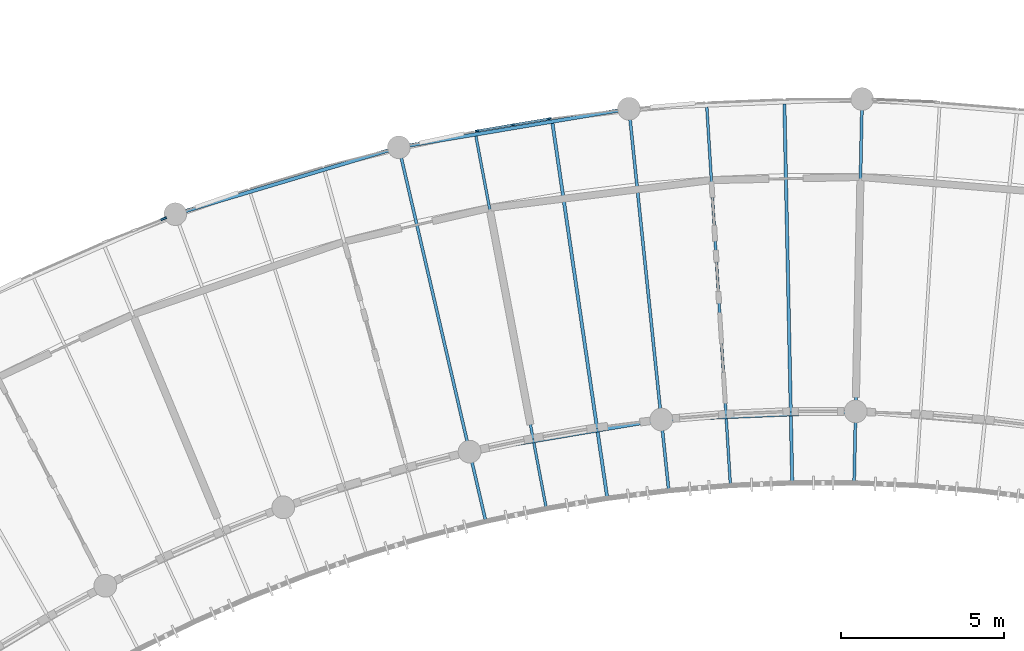
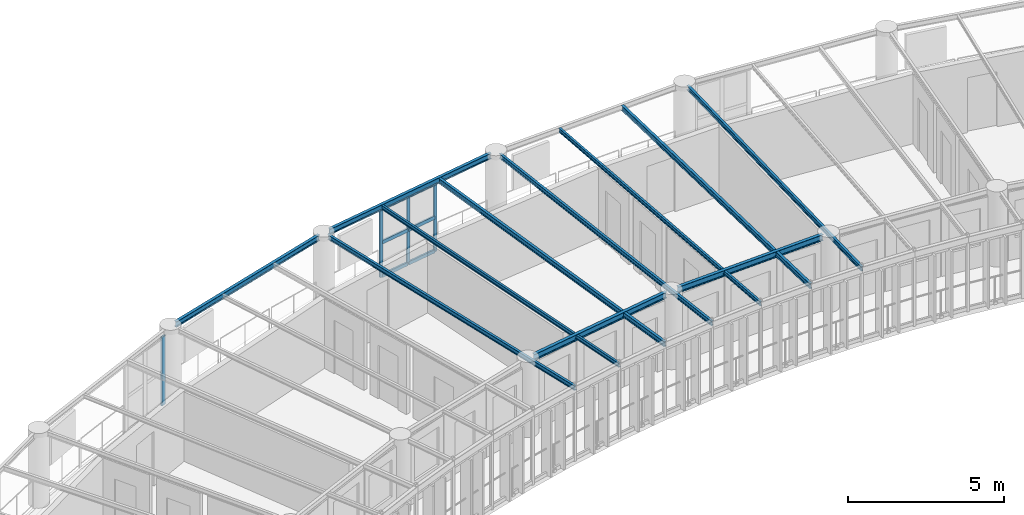
# One storey, part 50 of 123: 11 beams, 10 members, 2 elements without a shape of their own.
"""IFC4 building model written with IfcOpenShell, lengths in metres."""

from ifc_helpers import new_model, si_unit, direction, frame, origin, origin_2d, place, context, subcontext, project, spatial, rectangle, i_section, extrude, material, layer, layer_set, material_profile, profile_set, type_object, element, aggregate, save


model = new_model("IFC4")

# Units and contexts
model_context = context("Model", 3, precision=1e-05, world=origin(), true_north=direction((0.0, 1.0)))
body_context = subcontext(model_context, "Body", "Model", "MODEL_VIEW")
ifc_project = project(units=[si_unit("LENGTHUNIT", "METRE"), si_unit("AREAUNIT", "SQUARE_METRE"), si_unit("VOLUMEUNIT", "CUBIC_METRE"), si_unit("PLANEANGLEUNIT", "RADIAN"), si_unit("MASSUNIT", "GRAM", prefix="KILO"), si_unit("POWERUNIT", "WATT"), si_unit("THERMODYNAMICTEMPERATUREUNIT", "KELVIN")], contexts=[model_context])

# Site, building, storey
site_placement = place(None, origin())
site = spatial("IfcSite", under=ifc_project, at=site_placement, CompositionType="ELEMENT")
building_placement = place(site_placement, origin())
building = spatial("IfcBuilding", under=site, at=building_placement, Name="Ruvembo Vaulted Housing Court", CompositionType="ELEMENT")
storey_placement = place(building_placement, frame((0.0, 0.0, 7.699951171875)))
storey = spatial("IfcBuildingStorey", under=building, at=storey_placement, Name="L02", CompositionType="ELEMENT", Elevation=7.699951171875)

# Beams
ifc_material_1 = material(Name="Steel S355J2", Category="steel")
ifc_material_profile_1 = material_profile(ifc_material_1, i_section(OverallWidth=0.08203125, OverallDepth=0.159912109375, WebThickness=0.0048828125, FlangeThickness=0.00732421875, FilletRadius=0.009033203125, at=origin_2d()), Name="IPE 160")
ifc_profile_set_1 = profile_set([ifc_material_profile_1], Name="Steel S355J2")
beam_type_1 = type_object("IfcBeamType", Name="BM-ST-IPE160", PredefinedType="JOIST", material=ifc_profile_set_1)
for number, where, z_axis, x_axis, name in (
    (1, (106.33056640625, 106.451416015625, 2.860107421875), (0.185715658809, -0.982603528425, 0.0), (0.982603528425, 0.185715658809, 0.0), "Scoop SC3 L02 Radial Steel Joist 10"),
    (2, (113.425048828125, 107.33935546875, 2.860107421875), (0.062232670177, -0.998061668817, 0.0), (0.998061668817, 0.062232670177, 0.0), "Scoop SC3 L02 Radial Steel Joist 13"),
):
    element("IfcBeam", number, at=place(storey_placement, frame(where, z_axis=z_axis, x_axis=x_axis)), inside=storey, type_object=beam_type_1, Name=name, PredefinedType="JOIST", context=body_context, shape_type="SweptSolid", body=[
        extrude(i_section(OverallWidth=0.08203125, OverallDepth=0.159912109375, WebThickness=0.0048828125, FlangeThickness=0.00732421875, FilletRadius=0.009033203125, at=origin_2d()), origin(), (0.0, 0.0, 1.0), 11.690673828125),
    ])
ifc_material_profile_2 = material_profile(ifc_material_1, i_section(OverallWidth=0.091064453125, OverallDepth=0.179931640625, WebThickness=0.00537109375, FlangeThickness=0.008056640625, FilletRadius=0.009033203125, at=origin_2d()), Name="IPE 180")
ifc_profile_set_2 = profile_set([ifc_material_profile_2], Name="Steel S355J2")
beam_type_2 = type_object("IfcBeamType", Name="BM-ST-IPE180", PredefinedType="JOIST", material=ifc_profile_set_2)
beam_1_placement = place(storey_placement, frame((104.015380859375, 105.88134765625, 2.85009765625), z_axis=(0.226347402138, -0.97404663828, 0.0), x_axis=(0.97404663828, 0.226347402138, 0.0)))
element("IfcBeam", 3, at=beam_1_placement, inside=storey, type_object=beam_type_2, Name="Scoop SC3 L02 Radial Steel Joist 9", PredefinedType="JOIST", context=body_context, shape_type="SweptSolid", body=[
    extrude(i_section(OverallWidth=0.091064453125, OverallDepth=0.179931640625, WebThickness=0.00537109375, FlangeThickness=0.008056640625, FilletRadius=0.009033203125, at=origin_2d()), origin(), (0.0, 0.0, 1.0), 11.610107421875),
])
beam_2_placement = place(storey_placement, frame((111.056884765625, 107.061279296875, 2.85009765625), z_axis=(0.103608684638, -0.994618138015, 0.0), x_axis=(0.994618138015, 0.103608684638, 0.0)))
element("IfcBeam", 4, at=beam_2_placement, inside=storey, type_object=beam_type_2, Name="Scoop SC3 L02 Radial Steel Joist 12", PredefinedType="JOIST", context=body_context, shape_type="SweptSolid", body=[
    extrude(i_section(OverallWidth=0.091064453125, OverallDepth=0.179931640625, WebThickness=0.00537109375, FlangeThickness=0.008056640625, FilletRadius=0.009033203125, at=origin_2d()), origin(), (0.0, 0.0, 1.0), 11.60986328125),
])
beam_3_placement = place(storey_placement, frame((118.190673828125, 107.357666015625, 2.85009765625), z_axis=(-0.020754809044, -0.999784595751, 0.0), x_axis=(0.999784595751, -0.020754809044, 0.0)))
element("IfcBeam", 5, at=beam_3_placement, inside=storey, type_object=beam_type_2, Name="Scoop SC3 L02 Radial Steel Joist 15", PredefinedType="JOIST", context=body_context, shape_type="SweptSolid", body=[
    extrude(i_section(OverallWidth=0.091064453125, OverallDepth=0.179931640625, WebThickness=0.00537109375, FlangeThickness=0.008056640625, FilletRadius=0.009033203125, at=origin_2d()), origin(), (0.0, 0.0, 1.0), 11.610107421875),
])
ifc_material_profile_3 = material_profile(ifc_material_1, i_section(OverallWidth=0.10009765625, OverallDepth=0.199951171875, WebThickness=0.005615234375, FlangeThickness=0.008544921875, FilletRadius=0.011962890625, at=origin_2d()), Name="IPE 200")
ifc_profile_set_3 = profile_set([ifc_material_profile_3], Name="Steel S355J2")
beam_type_3 = type_object("IfcBeamType", Name="BM-ST-IPE200", PredefinedType="BEAM", material=ifc_profile_set_3)
beam_4_placement = place(storey_placement, frame((108.6826171875, 106.845458984375, 2.840087890625), z_axis=(0.144762278676, -0.989466463642, 0.0), x_axis=(0.989466463642, 0.144762278676, 0.0)))
element("IfcBeam", 6, at=beam_4_placement, inside=storey, type_object=beam_type_3, Name="Scoop SC3 L02 Radial Steel Joist 11", PredefinedType="BEAM", context=body_context, shape_type="SweptSolid", body=[
    extrude(i_section(OverallWidth=0.10009765625, OverallDepth=0.199951171875, WebThickness=0.005615234375, FlangeThickness=0.008544921875, FilletRadius=0.011962890625, at=origin_2d()), origin(), (0.0, 0.0, 1.0), 11.690673828125),
])
beam_5_placement = place(storey_placement, frame((115.8076171875, 107.4384765625, 2.840087890625), z_axis=(0.020757495044, -0.999784539988, 0.0), x_axis=(0.999784539988, 0.020757495044, 0.0)))
element("IfcBeam", 7, at=beam_5_placement, inside=storey, type_object=beam_type_3, Name="Scoop SC3 L02 Radial Steel Joist 14", PredefinedType="BEAM", context=body_context, shape_type="SweptSolid", body=[
    extrude(i_section(OverallWidth=0.10009765625, OverallDepth=0.199951171875, WebThickness=0.005615234375, FlangeThickness=0.008544921875, FilletRadius=0.011962890625, at=origin_2d()), origin(), (0.0, 0.0, 1.0), 11.69091796875),
])
ifc_material_profile_4 = material_profile(ifc_material_1, i_section(OverallWidth=0.110107421875, OverallDepth=0.219970703125, WebThickness=0.005859375, FlangeThickness=0.00927734375, FilletRadius=0.011962890625, at=origin_2d()), Name="IPE 220")
ifc_profile_set_4 = profile_set([ifc_material_profile_4], Name="Steel S355J2")
beam_type_4 = type_object("IfcBeamType", Name="BM-ST-IPE220", PredefinedType="SPANDREL", material=ifc_profile_set_4)
beam_6_placement = place(storey_placement, frame((97.31591796875, 104.117431640625, 2.83203125), z_axis=(0.958081335052, 0.286496344522, 0.0), x_axis=(-0.286496344522, 0.958081335052, 0.0)))
element("IfcBeam", 8, at=beam_6_placement, inside=storey, type_object=beam_type_4, Name="Scoop SC3 L02 Chord Girder B6", PredefinedType="SPANDREL", context=body_context, shape_type="SweptSolid", body=[
    extrude(i_section(OverallWidth=0.110107421875, OverallDepth=0.219970703125, WebThickness=0.005859375, FlangeThickness=0.00927734375, FilletRadius=0.011962890625, at=origin_2d()), origin(), (0.0, 0.0, 1.0), 6.708251953125),
])
beam_7_placement = place(storey_placement, frame((104.190185546875, 106.143310546875, 2.83203125), z_axis=(0.986244010524, 0.165295951874, 0.0), x_axis=(-0.165295951874, 0.986244010524, 0.0)))
element("IfcBeam", 9, at=beam_7_placement, inside=storey, type_object=beam_type_4, Name="Scoop SC3 L02 Chord Girder B9", PredefinedType="SPANDREL", context=body_context, shape_type="SweptSolid", body=[
    extrude(i_section(OverallWidth=0.110107421875, OverallDepth=0.219970703125, WebThickness=0.005859375, FlangeThickness=0.00927734375, FilletRadius=0.011962890625, at=origin_2d()), origin(), (0.0, 0.0, 1.0), 6.70849609375),
])
ifc_material_profile_5 = material_profile(ifc_material_1, i_section(OverallWidth=0.1201171875, OverallDepth=0.239990234375, WebThickness=0.006103515625, FlangeThickness=0.009765625, FilletRadius=0.014892578125, at=origin_2d()), Name="IPE 240")
ifc_profile_set_5 = profile_set([ifc_material_profile_5], Name="Steel S355J2")
beam_type_5 = type_object("IfcBeamType", Name="BM-ST-IPE240", PredefinedType="BEAM", material=ifc_profile_set_5)
beam_8_placement = place(storey_placement, frame((106.363037109375, 96.79248046875, 2.822021484375), z_axis=(0.986243921556, 0.1652964827, 0.0), x_axis=(-0.1652964827, 0.986243921556, 0.0)))
element("IfcBeam", 10, at=beam_8_placement, inside=storey, type_object=beam_type_5, Name="Scoop SC3 L02 Chord Girder F9", PredefinedType="BEAM", context=body_context, shape_type="SweptSolid", body=[
    extrude(i_section(OverallWidth=0.1201171875, OverallDepth=0.239990234375, WebThickness=0.006103515625, FlangeThickness=0.009765625, FilletRadius=0.014892578125, at=origin_2d()), origin(), (0.0, 0.0, 1.0), 5.513671875),
])
beam_9_placement = place(storey_placement, frame((112.257568359375, 97.751220703125, 2.822021484375), z_axis=(0.999137059087, 0.041534770494, 0.0), x_axis=(-0.041534770494, 0.999137059087, 0.0)))
element("IfcBeam", 11, at=beam_9_placement, inside=storey, type_object=beam_type_5, Name="Scoop SC3 L02 Chord Girder F12", PredefinedType="BEAM", context=body_context, shape_type="SweptSolid", body=[
    extrude(i_section(OverallWidth=0.1201171875, OverallDepth=0.239990234375, WebThickness=0.006103515625, FlangeThickness=0.009765625, FilletRadius=0.014892578125, at=origin_2d()), origin(), (0.0, 0.0, 1.0), 5.513427734375),
])

# Curtain wall, members
ifc_material_2 = material(Name="Anodised Aluminium and Solar-Control Glass", Category="aluminium")
ifc_layer_1 = layer(ifc_material_2, 0.139892578125, Name="Anodised Aluminium and Solar-Control Glass")
ifc_layer_set_1 = layer_set([ifc_layer_1], Name="Anodised Aluminium and Solar-Control Glass")
curtain_wall_type_1 = type_object("IfcCurtainWallType", Name="CW-SCOOP-PAN", PredefinedType="NOTDEFINED", material=ifc_layer_set_1)
curtain_wall_1_placement = place(storey_placement, origin())
curtain_wall_1 = element("IfcCurtainWall", 12, at=curtain_wall_1_placement, inside=storey, type_object=curtain_wall_type_1, Name="L02 Curtain Wall CW-L02-0067", PredefinedType="NOTDEFINED")
ifc_material_3 = material(Name="Anodised Aluminium 6063-T6", Category="aluminium")
ifc_material_profile_6 = material_profile(ifc_material_3, rectangle(XDim=0.054931640625, YDim=0.1201171875, at=origin_2d()), Name="ALU 55x120")
ifc_profile_set_6 = profile_set([ifc_material_profile_6], Name="Anodised Aluminium 6063-T6")
member_type_1 = type_object("IfcMemberType", Name="CW-MUL-55x120", PredefinedType="MULLION", material=ifc_profile_set_6)
member_1_placement = place(storey_placement, frame((106.37939453125, 106.61083984375, 0.0), z_axis=(0.0, 0.0, 1.0), x_axis=(-0.165262505305, 0.986249615635, 0.0)))
member_1 = element("IfcMember", 13, at=member_1_placement, type_object=member_type_1, Name="CW10 mullion 1", PredefinedType="MULLION", context=body_context, shape_type="SweptSolid", body=[
    extrude(rectangle(XDim=0.054931640625, YDim=0.1201171875, at=origin_2d()), origin(), (0.0, 0.0, 1.0), 2.697998046875),
])
member_2_placement = place(storey_placement, frame((107.48193359375, 106.795654296875, 0.0), z_axis=(0.0, 0.0, 1.0), x_axis=(-0.165262505305, 0.986249615635, 0.0)))
member_2 = element("IfcMember", 14, at=member_2_placement, type_object=member_type_1, Name="CW10 mullion 2", PredefinedType="MULLION", context=body_context, shape_type="SweptSolid", body=[
    extrude(rectangle(XDim=0.054931640625, YDim=0.1201171875, at=origin_2d()), origin(), (0.0, 0.0, 1.0), 2.697998046875),
])
member_3_placement = place(storey_placement, frame((108.58447265625, 106.98046875, 0.0), z_axis=(0.0, 0.0, 1.0), x_axis=(-0.165262505305, 0.986249615635, 0.0)))
member_3 = element("IfcMember", 15, at=member_3_placement, type_object=member_type_1, Name="CW10 mullion 3", PredefinedType="MULLION", context=body_context, shape_type="SweptSolid", body=[
    extrude(rectangle(XDim=0.054931640625, YDim=0.1201171875, at=origin_2d()), origin(), (0.0, 0.0, 1.0), 2.697998046875),
])

# Curtain wall, member
ifc_layer_2 = layer(ifc_material_2, 0.1201171875, Name="Anodised Aluminium and Solar-Control Glass")
ifc_layer_set_2 = layer_set([ifc_layer_2], Name="Anodised Aluminium and Solar-Control Glass")
curtain_wall_type_2 = type_object("IfcCurtainWallType", Name="CW-SCOOP-GAL", PredefinedType="NOTDEFINED", material=ifc_layer_set_2)
curtain_wall_2_placement = place(storey_placement, origin())
curtain_wall_2 = element("IfcCurtainWall", 16, at=curtain_wall_2_placement, inside=storey, type_object=curtain_wall_type_2, Name="L02 Curtain Wall CW-L02-0066", PredefinedType="NOTDEFINED")
ifc_material_profile_7 = material_profile(ifc_material_3, rectangle(XDim=0.06494140625, YDim=0.179931640625, at=origin_2d()), Name="ALU 65x180")
ifc_profile_set_7 = profile_set([ifc_material_profile_7], Name="Anodised Aluminium 6063-T6")
member_type_2 = type_object("IfcMemberType", Name="CW-MUL-65x180", PredefinedType="MULLION", material=ifc_profile_set_7)
member_4_placement = place(storey_placement, frame((96.7392578125, 103.912109375, 0.0), z_axis=(0.0, 0.0, 1.0), x_axis=(-0.365033747989, 0.930994287216, 0.0)))
member_4 = element("IfcMember", 17, at=member_4_placement, type_object=member_type_2, Name="CW6 mullion 3", PredefinedType="MULLION", context=body_context, shape_type="SweptSolid", body=[
    extrude(rectangle(XDim=0.06494140625, YDim=0.179931640625, at=origin_2d()), origin(), (0.0, 0.0, 1.0), 2.697998046875),
])
aggregate(curtain_wall_2, [member_4])

# Member
ifc_material_profile_8 = material_profile(ifc_material_3, rectangle(XDim=0.06494140625, YDim=0.135009765625, at=origin_2d()), Name="ALU 65x135")
ifc_profile_set_8 = profile_set([ifc_material_profile_8], Name="Anodised Aluminium 6063-T6")
member_type_3 = type_object("IfcMemberType", Name="CW-TRN-65x135", PredefinedType="USERDEFINED", material=ifc_profile_set_8)
member_5_placement = place(storey_placement, frame((106.406494140625, 106.615478515625, 0.032470703125), z_axis=(0.986269488229, 0.165143866334, 0.0), x_axis=(-0.165143866334, 0.986269488229, 0.0)))
member_5 = element("IfcMember", 18, at=member_5_placement, type_object=member_type_3, Name="CW10 transom 1.1", ObjectType="TRANSOM", PredefinedType="USERDEFINED", context=body_context, shape_type="SweptSolid", body=[
    extrude(rectangle(XDim=0.06494140625, YDim=0.135009765625, at=origin_2d()), origin(), (0.0, 0.0, 1.0), 1.06298828125),
])

member_6_placement = place(storey_placement, frame((106.406494140625, 106.615478515625, 1.34912109375), z_axis=(0.986269488229, 0.165143866334, 0.0), x_axis=(-0.165143866334, 0.986269488229, 0.0)))
member_6 = element("IfcMember", 19, at=member_6_placement, type_object=member_type_3, Name="CW10 transom 1.2", ObjectType="TRANSOM", PredefinedType="USERDEFINED", context=body_context, shape_type="SweptSolid", body=[
    extrude(rectangle(XDim=0.06494140625, YDim=0.135009765625, at=origin_2d()), origin(), (0.0, 0.0, 1.0), 1.06298828125),
])

member_7_placement = place(storey_placement, frame((106.406494140625, 106.615478515625, 2.66552734375), z_axis=(0.986269488229, 0.165143866334, 0.0), x_axis=(-0.165143866334, 0.986269488229, 0.0)))
member_7 = element("IfcMember", 20, at=member_7_placement, type_object=member_type_3, Name="CW10 transom 1.3", ObjectType="TRANSOM", PredefinedType="USERDEFINED", context=body_context, shape_type="SweptSolid", body=[
    extrude(rectangle(XDim=0.06494140625, YDim=0.135009765625, at=origin_2d()), origin(), (0.0, 0.0, 1.0), 1.06298828125),
])

member_8_placement = place(storey_placement, frame((107.509033203125, 106.800048828125, 0.032470703125), z_axis=(0.98623205401, 0.165367275009, 0.0), x_axis=(-0.165367275009, 0.98623205401, 0.0)))
member_8 = element("IfcMember", 21, at=member_8_placement, type_object=member_type_3, Name="CW10 transom 2.1", ObjectType="TRANSOM", PredefinedType="USERDEFINED", context=body_context, shape_type="SweptSolid", body=[
    extrude(rectangle(XDim=0.06494140625, YDim=0.135009765625, at=origin_2d()), origin(), (0.0, 0.0, 1.0), 1.06298828125),
])

member_9_placement = place(storey_placement, frame((107.509033203125, 106.800048828125, 1.34912109375), z_axis=(0.98623205401, 0.165367275009, 0.0), x_axis=(-0.165367275009, 0.98623205401, 0.0)))
member_9 = element("IfcMember", 22, at=member_9_placement, type_object=member_type_3, Name="CW10 transom 2.2", ObjectType="TRANSOM", PredefinedType="USERDEFINED", context=body_context, shape_type="SweptSolid", body=[
    extrude(rectangle(XDim=0.06494140625, YDim=0.135009765625, at=origin_2d()), origin(), (0.0, 0.0, 1.0), 1.06298828125),
])

member_10_placement = place(storey_placement, frame((107.509033203125, 106.800048828125, 2.66552734375), z_axis=(0.98623205401, 0.165367275009, 0.0), x_axis=(-0.165367275009, 0.98623205401, 0.0)))
member_10 = element("IfcMember", 23, at=member_10_placement, type_object=member_type_3, Name="CW10 transom 2.3", ObjectType="TRANSOM", PredefinedType="USERDEFINED", context=body_context, shape_type="SweptSolid", body=[
    extrude(rectangle(XDim=0.06494140625, YDim=0.135009765625, at=origin_2d()), origin(), (0.0, 0.0, 1.0), 1.06298828125),
])

aggregate(curtain_wall_1, [member_1, member_2, member_3, member_5, member_6, member_7, member_8, member_9, member_10])

save(model, "model.ifc")
